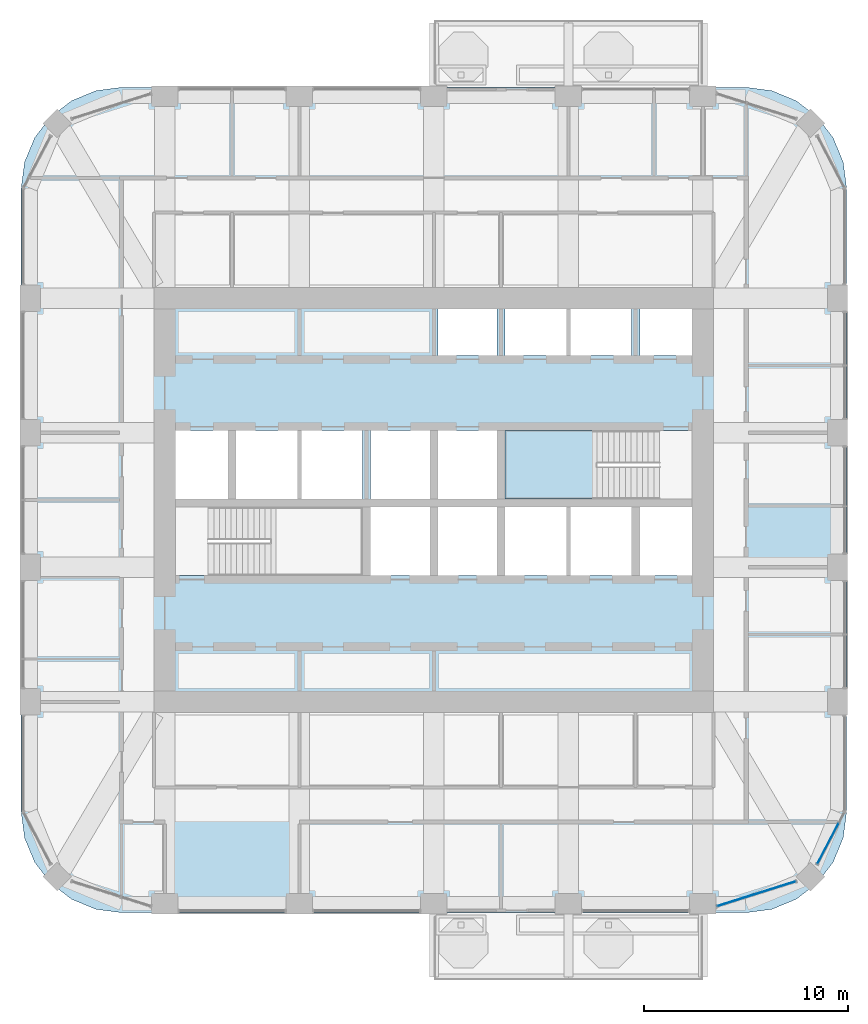
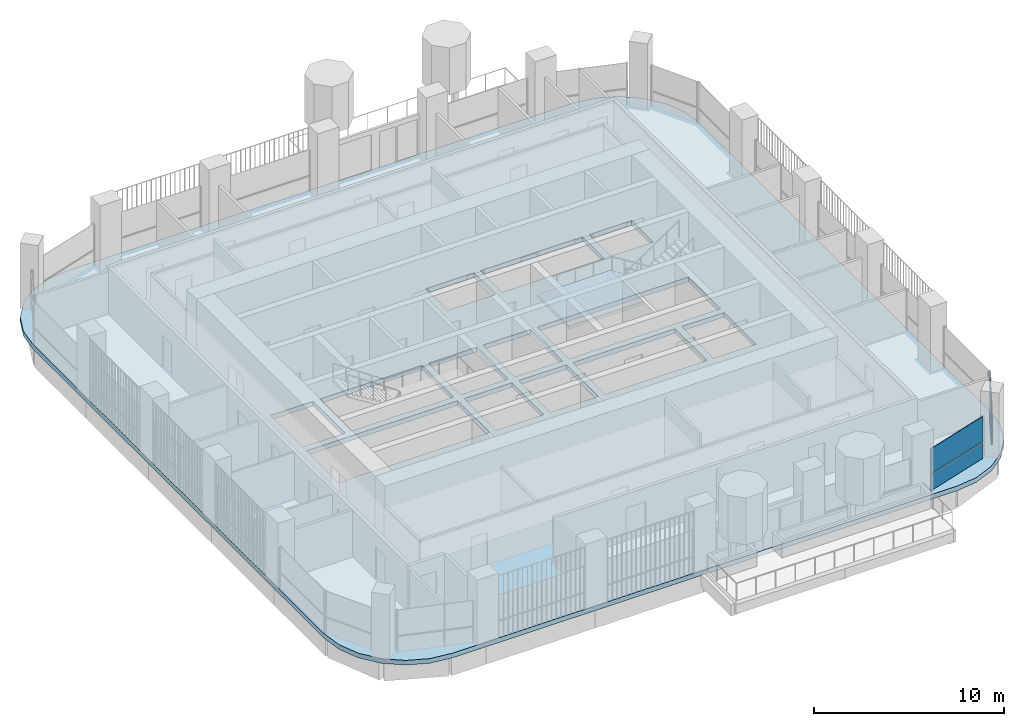
# One storey, part 10 of 21: 4 plates, 2 slabs, 3 elements without a shape of their own.
"""IFC4 building model written with IfcOpenShell, lengths in metres."""

import ifcopenshell
import ifcopenshell.guid

model = None  # the IFC model being written
_history = None  # IfcOwnerHistory: only IFC2X3 demands one
_inside = {}  # id of a spatial element -> (the spatial element, [elements in it])
_under = {}  # id of a project, library or spatial element -> (it, [spatial elements below it])
_declared = {}  # id of a project -> (the project, [libraries it declares])
_typed = {}  # id of a type object -> (the type object, [elements of that type])
_made_of = {}  # id of a material, layer set ... -> (it, [elements and type objects made of it])


def new_model(schema):
    """Start an empty IFC model of exactly this schema.

    Asked for "IFC4X3", IfcOpenShell would pick the latest addendum, in which some entities
    have other attributes; the version numbers below select the first issue.
    IFC2X3 requires an IfcOwnerHistory on every rooted entity: one is made here for all.
    """
    global model, _history
    if schema == "IFC4X3":
        model = ifcopenshell.file(schema_version=(4, 3, 0, 0))
    else:
        model = ifcopenshell.file(schema=schema)
    _inside.clear()
    _under.clear()
    _declared.clear()
    _typed.clear()
    _made_of.clear()
    _history = None
    if model.schema == "IFC2X3":
        org = make("IfcOrganization", Name="unknown")
        user = make(
            "IfcPersonAndOrganization",
            ThePerson=make("IfcPerson", FamilyName="unknown"),
            TheOrganization=org,
        )
        app = make(
            "IfcApplication",
            ApplicationDeveloper=org,
            Version="unknown",
            ApplicationFullName="unknown",
            ApplicationIdentifier="unknown",
        )
        _history = make(
            "IfcOwnerHistory",
            OwningUser=user,
            OwningApplication=app,
            ChangeAction="ADDED",
            CreationDate=0,
        )
    return model


def make(cls, **values):
    """One entity of the class cls with the attributes given. An attribute that is None is left unset."""
    return model.create_entity(
        cls, **{name: value for name, value in values.items() if value is not None}
    )


def rooted(cls, **values):
    """An entity with a GlobalId (a new one), such as an element, a storey or a relation."""
    return make(cls, GlobalId=ifcopenshell.guid.new(), OwnerHistory=_history, **values)


def si_unit(unit_type, name, prefix=None):
    """IfcSIUnit, for example si_unit("LENGTHUNIT", "METRE", prefix="MILLI")."""
    return make("IfcSIUnit", UnitType=unit_type, Prefix=prefix, Name=name)


def assignment(units):
    """IfcUnitAssignment: the units of a project."""
    return None if units is None else make("IfcUnitAssignment", Units=units)


def point(xyz):
    """IfcCartesianPoint."""
    return None if xyz is None else make("IfcCartesianPoint", Coordinates=xyz)


def direction(xyz):
    """IfcDirection."""
    return None if xyz is None else make("IfcDirection", DirectionRatios=xyz)


def frame(location, z_axis=None, x_axis=None):
    """IfcAxis2Placement3D, a coordinate frame: its origin and axes. An axis left out is left unset."""
    return make(
        "IfcAxis2Placement3D",
        Location=point(location),
        Axis=direction(z_axis),
        RefDirection=direction(x_axis),
    )


def frame_2d(location, x_axis=None):
    """IfcAxis2Placement2D, a coordinate frame in the plane: its origin and x axis."""
    return make(
        "IfcAxis2Placement2D", Location=point(location), RefDirection=direction(x_axis)
    )


def origin():
    """The frame at (0, 0, 0) with its axes left unset."""
    return frame((0.0, 0.0, 0.0))


def origin_2d():
    """The frame at (0, 0) in the plane with its x axis left unset."""
    return frame_2d((0.0, 0.0))


def place(relative_to, where):
    """IfcLocalPlacement: puts the frame where relative to a parent placement (None: the world)."""
    return make(
        "IfcLocalPlacement", PlacementRelTo=relative_to, RelativePlacement=where
    )


def context(
    kind, dimensions, precision=None, world=None, true_north=None, identifier=None
):
    """IfcGeometricRepresentationContext, for example the 3D "Model" context."""
    return make(
        "IfcGeometricRepresentationContext",
        ContextIdentifier=identifier,
        ContextType=kind,
        CoordinateSpaceDimension=dimensions,
        Precision=precision,
        WorldCoordinateSystem=world,
        TrueNorth=true_north,
    )


def subcontext(parent, identifier, kind, view, scale=None):
    """IfcGeometricRepresentationSubContext, for example "Body" below "Model"."""
    return make(
        "IfcGeometricRepresentationSubContext",
        ContextIdentifier=identifier,
        ContextType=kind,
        ParentContext=parent,
        TargetScale=scale,
        TargetView=view,
    )


def project(units=None, contexts=None):
    """IfcProject with its units and contexts."""
    return rooted(
        "IfcProject",
        Name="project",
        RepresentationContexts=contexts,
        UnitsInContext=assignment(units),
    )


def spatial(cls, under=None, at=None, **own):
    """A site, building, storey or space (cls), placed at a placement, below another one or the project."""
    s = rooted(cls, ObjectPlacement=at, **own)
    if under is not None:
        _under.setdefault(under.id(), (under, []))[1].append(s)
    return s


def polyline(points):
    """IfcPolyline through the points."""
    return make("IfcPolyline", Points=[point(p) for p in points])


def profile(cls, at=None, kind="AREA", **sizes):
    """A parametric profile (cls). Its sizes go by their IFC names, for example OverallWidth=200.0."""
    return make(cls, ProfileType=kind, Position=at, **sizes)


def rectangle(**sizes):
    """IfcRectangleProfileDef."""
    return profile("IfcRectangleProfileDef", **sizes)


def outline(outer, holes=None, kind="AREA"):
    """IfcArbitraryClosedProfileDef: a profile drawn as a closed curve; with holes, ...WithVoids."""
    if holes is None:
        return make("IfcArbitraryClosedProfileDef", ProfileType=kind, OuterCurve=outer)
    return make(
        "IfcArbitraryProfileDefWithVoids",
        ProfileType=kind,
        OuterCurve=outer,
        InnerCurves=holes,
    )


def extrude(swept, where, along, depth):
    """IfcExtrudedAreaSolid: the profile swept, set in the frame where, extruded along a direction by depth."""
    return make(
        "IfcExtrudedAreaSolid",
        SweptArea=swept,
        Position=where,
        ExtrudedDirection=direction(along),
        Depth=depth,
    )


def shape(context_of_items, identifier, shape_type, items):
    """IfcShapeRepresentation: the items that make up one representation, for example the "Body"."""
    return make(
        "IfcShapeRepresentation",
        ContextOfItems=context_of_items,
        RepresentationIdentifier=identifier,
        RepresentationType=shape_type,
        Items=items,
    )


def material(Name=None, Category=None):
    """IfcMaterial."""
    return make("IfcMaterial", Name=Name, Category=Category)


def layer(
    of_material, thickness, ventilated=None, Name=None, Category=None, Priority=None
):
    """IfcMaterialLayer: one layer of a wall or slab, of a material (None: an air gap)."""
    return make(
        "IfcMaterialLayer",
        Material=of_material,
        LayerThickness=thickness,
        IsVentilated=ventilated,
        Name=Name,
        Category=Category,
        Priority=Priority,
    )


def layer_set(layers, Name=None):
    """IfcMaterialLayerSet."""
    return make("IfcMaterialLayerSet", MaterialLayers=layers, LayerSetName=Name)


def made_of(thing, what):
    """Note that an element or type object is made of a material, layer set ...; save() writes the relation."""
    if what is not None:
        _made_of.setdefault(what.id(), (what, []))[1].append(thing)
    return thing


def type_object(cls, material=None, **own):
    """A type object (cls), such as IfcWallType, which elements share."""
    return made_of(rooted(cls, **own), material)


def element(
    cls,
    number,
    at=None,
    inside=None,
    cuts=None,
    type_object=None,
    material=None,
    context=None,
    identifier="Body",
    shape_type=None,
    held_by="IfcProductDefinitionShape",
    body=None,
    shapes=None,
    **own,
):
    """One element of the class cls, such as IfcWall. Its Tag is "e" and its number.

    at: its placement. inside: the storey or other place that contains it. cuts: it is an
    opening in that element (IfcRelVoidsElement). A single representation is given by context,
    identifier, shape_type and body (its items); several are given by shapes. held_by: the class
    of the entity that holds the representations. save() writes the other relations.
    """
    e = rooted(cls, Tag="e%d" % number, ObjectPlacement=at, **own)
    if body is not None:
        shapes = [shape(context, identifier, shape_type, body)]
    if shapes is not None:
        e.Representation = make(held_by, Representations=shapes)
    if inside is not None:
        _inside.setdefault(inside.id(), (inside, []))[1].append(e)
    if cuts is not None:
        rooted(
            "IfcRelVoidsElement", RelatingBuildingElement=cuts, RelatedOpeningElement=e
        )
    if type_object is not None:
        _typed.setdefault(type_object.id(), (type_object, []))[1].append(e)
    return made_of(e, material)


def aggregate(whole, parts):
    """IfcRelAggregates: a whole, such as a stair, and the parts it consists of."""
    return rooted("IfcRelAggregates", RelatingObject=whole, RelatedObjects=parts)


def save(model, path):
    """Write the relations noted so far, then the file.

    IfcRelAggregates (storeys below a building ...), IfcRelContainedInSpatialStructure (elements
    in a storey), IfcRelDefinesByType, IfcRelAssociatesMaterial and IfcRelDeclares: one each for
    every whole, place, type object, material and project.
    """
    for whole, parts in _under.values():
        aggregate(whole, parts)
    for where, things in _inside.values():
        rooted(
            "IfcRelContainedInSpatialStructure",
            RelatedElements=things,
            RelatingStructure=where,
        )
    for kind, things in _typed.values():
        rooted("IfcRelDefinesByType", RelatedObjects=things, RelatingType=kind)
    for what, things in _made_of.values():
        rooted("IfcRelAssociatesMaterial", RelatedObjects=things, RelatingMaterial=what)
    for by, libraries in _declared.values():
        rooted("IfcRelDeclares", RelatingContext=by, RelatedDefinitions=libraries)
    model.write(path)


model = new_model("IFC4")

# Units and contexts
model_context = context("Model", 3, precision=1e-05, world=origin(), true_north=direction((0.0, 1.0)))
body_context = subcontext(model_context, "Body", "Model", "MODEL_VIEW")
ifc_project = project(units=[si_unit("LENGTHUNIT", "METRE"), si_unit("AREAUNIT", "SQUARE_METRE"), si_unit("VOLUMEUNIT", "CUBIC_METRE"), si_unit("PLANEANGLEUNIT", "RADIAN"), si_unit("MASSUNIT", "GRAM", prefix="KILO")], contexts=[model_context])

# Site, building, storey
site_placement = place(None, origin())
site = spatial("IfcSite", under=ifc_project, at=site_placement, CompositionType="ELEMENT")
building_placement = place(site_placement, origin())
building = spatial("IfcBuilding", under=site, at=building_placement, Name="Cobogo Forest Laboratory Tower", CompositionType="ELEMENT")
storey_placement = place(building_placement, frame((0.0, 0.0, 250.199951171875)))
storey = spatial("IfcBuildingStorey", under=building, at=storey_placement, Name="L57", CompositionType="ELEMENT", Elevation=250.199951171875)

# Slab
ifc_material_1 = material(Name="Concrete HA-40 (C40/50)", Category="concrete")
ifc_layer_1 = layer(ifc_material_1, 0.300048828125)
ifc_layer_set_1 = layer_set([ifc_layer_1], Name="Floor slab 300")
slab_type_1 = type_object("IfcSlabType", Name="Floor slab 300", PredefinedType="FLOOR", material=ifc_layer_set_1)
slab_1_placement = place(storey_placement, frame((0.0, 0.0, -0.300048828125)))
element("IfcSlab", 1, at=slab_1_placement, inside=storey, type_object=slab_type_1, Name="L57 floor slab", PredefinedType="FLOOR", context=body_context, shape_type="SweptSolid", body=[
    extrude(outline(polyline([(41.699951171875, 2.85009765625), (42.981201171875, 3.0185546875), (44.175048828125, 3.51318359375), (45.2001953125, 4.2998046875), (45.98681640625, 5.324951171875), (46.4814453125, 6.518798828125), (46.64990234375, 7.800048828125), (46.64990234375, 38.39990234375), (46.4814453125, 39.68115234375), (45.98681640625, 40.875), (45.2001953125, 41.900146484375), (44.175048828125, 42.686767578125), (42.981201171875, 43.181396484375), (41.699951171875, 43.35009765625), (11.10009765625, 43.35009765625), (9.81884765625, 43.181396484375), (8.625, 42.686767578125), (7.599853515625, 41.900146484375), (6.813232421875, 40.875), (6.318603515625, 39.68115234375), (6.14990234375, 38.39990234375), (6.14990234375, 7.800048828125), (6.318603515625, 6.518798828125), (6.813232421875, 5.324951171875), (7.599853515625, 4.2998046875), (8.625, 3.51318359375), (9.81884765625, 3.0185546875), (11.10009765625, 2.85009765625), (41.699951171875, 2.85009765625)]), holes=[polyline([(22.89990234375, 19.39990234375), (13.72509765625, 19.39990234375), (13.72509765625, 22.75), (22.89990234375, 22.75), (22.89990234375, 19.39990234375)]), polyline([(26.199951171875, 19.39990234375), (23.300048828125, 19.39990234375), (23.300048828125, 22.75), (26.199951171875, 22.75), (26.199951171875, 19.39990234375)]), polyline([(29.5, 19.39990234375), (26.60009765625, 19.39990234375), (26.60009765625, 22.75), (29.5, 22.75), (29.5, 19.39990234375)]), polyline([(36.10009765625, 22.75), (36.10009765625, 19.39990234375), (29.89990234375, 19.39990234375), (29.89990234375, 22.75), (36.10009765625, 22.75)]), polyline([(39.074951171875, 19.39990234375), (36.5, 19.39990234375), (36.5, 22.75), (39.074951171875, 22.75), (39.074951171875, 19.39990234375)]), polyline([(16.300048828125, 23.14990234375), (13.72509765625, 23.14990234375), (13.72509765625, 26.5), (16.300048828125, 26.5), (16.300048828125, 23.14990234375)]), polyline([(22.89990234375, 26.5), (22.89990234375, 23.14990234375), (16.699951171875, 23.14990234375), (16.699951171875, 26.5), (22.89990234375, 26.5)]), polyline([(26.199951171875, 23.14990234375), (23.300048828125, 23.14990234375), (23.300048828125, 26.5), (26.199951171875, 26.5), (26.199951171875, 23.14990234375)]), polyline([(29.5, 23.14990234375), (26.60009765625, 23.14990234375), (26.60009765625, 26.5), (29.5, 26.5), (29.5, 23.14990234375)]), polyline([(39.074951171875, 23.14990234375), (29.89990234375, 23.14990234375), (29.89990234375, 26.5), (39.074951171875, 26.5), (39.074951171875, 23.14990234375)]), polyline([(29.5, 30.199951171875), (26.60009765625, 30.199951171875), (26.60009765625, 32.47509765625), (29.5, 32.47509765625), (29.5, 30.199951171875)]), polyline([(36.10009765625, 32.47509765625), (36.10009765625, 30.199951171875), (29.89990234375, 30.199951171875), (29.89990234375, 32.47509765625), (36.10009765625, 32.47509765625)]), polyline([(39.074951171875, 30.199951171875), (36.5, 30.199951171875), (36.5, 32.47509765625), (39.074951171875, 32.47509765625), (39.074951171875, 30.199951171875)])]), origin(), (0.0, 0.0, 1.0), 0.300048828125),
])

# Curtain wall, plates
ifc_material_2 = material(Name="Aluminium curtain wall", Category="aluminium")
curtain_wall_type = type_object("IfcCurtainWallType", Name="CW-2 unitised curtain wall, solar control glazing, laboratory floors zones C and D", PredefinedType="USERDEFINED", material=ifc_material_2)
curtain_wall_1_placement = place(storey_placement, origin())
curtain_wall_1 = element("IfcCurtainWall", 2, at=curtain_wall_1_placement, inside=storey, type_object=curtain_wall_type, Name="Curtain wall 05 L57", ObjectType="UNITISED CURTAIN WALL", PredefinedType="USERDEFINED")
ifc_material_3 = material(Name="Solar control insulated glass", Category="glass")
ifc_layer_2 = layer(ifc_material_3, 0.031982421875)
ifc_layer_set_2 = layer_set([ifc_layer_2], Name="GP-2 solar control glass unit 32")
plate_type = type_object("IfcPlateType", Name="GP-2 solar control glass unit 32", PredefinedType="CURTAIN_PANEL", material=ifc_layer_set_2)
plate_1_placement = place(storey_placement, frame((42.2275390625, 3.77978515625, 0.0), z_axis=(0.0, 0.0, 1.0), x_axis=(0.953581386052, 0.301135418334, 0.0)))
plate_1 = element("IfcPlate", 3, at=plate_1_placement, type_object=plate_type, Name="CW-2 panel 1.1", PredefinedType="CURTAIN_PANEL", context=body_context, shape_type="SweptSolid", body=[
    extrude(rectangle(XDim=4.02734375, YDim=0.031982421875, at=origin_2d()), origin(), (0.0, 0.0, 1.0), 1.02001953125),
])
plate_2_placement = place(storey_placement, frame((42.2275390625, 3.77978515625, 1.080078125), z_axis=(0.0, 0.0, 1.0), x_axis=(0.953581386052, 0.301135418334, 0.0)))
plate_2 = element("IfcPlate", 4, at=plate_2_placement, type_object=plate_type, Name="CW-2 panel 1.2", PredefinedType="CURTAIN_PANEL", context=body_context, shape_type="SweptSolid", body=[
    extrude(rectangle(XDim=4.02734375, YDim=0.031982421875, at=origin_2d()), origin(), (0.0, 0.0, 1.0), 1.6201171875),
])
aggregate(curtain_wall_1, [plate_1, plate_2])

curtain_wall_2_placement = place(storey_placement, origin())
curtain_wall_2 = element("IfcCurtainWall", 5, at=curtain_wall_2_placement, inside=storey, type_object=curtain_wall_type, Name="Curtain wall 06 L57", ObjectType="UNITISED CURTAIN WALL", PredefinedType="USERDEFINED")
plate_3_placement = place(storey_placement, frame((45.7353515625, 6.24609375, 0.0), z_axis=(0.0, 0.0, 1.0), x_axis=(0.464283791352, 0.885686491422, 0.0)))
plate_3 = element("IfcPlate", 6, at=plate_3_placement, type_object=plate_type, Name="CW-2 panel 1.1", PredefinedType="CURTAIN_PANEL", context=body_context, shape_type="SweptSolid", body=[
    extrude(rectangle(XDim=2.236328125, YDim=0.031982421875, at=origin_2d()), origin(), (0.0, 0.0, 1.0), 1.02001953125),
])
plate_4_placement = place(storey_placement, frame((45.7353515625, 6.24609375, 1.080078125), z_axis=(0.0, 0.0, 1.0), x_axis=(0.464283791352, 0.885686491422, 0.0)))
plate_4 = element("IfcPlate", 7, at=plate_4_placement, type_object=plate_type, Name="CW-2 panel 1.2", PredefinedType="CURTAIN_PANEL", context=body_context, shape_type="SweptSolid", body=[
    extrude(rectangle(XDim=2.236328125, YDim=0.031982421875, at=origin_2d()), origin(), (0.0, 0.0, 1.0), 1.6201171875),
])
aggregate(curtain_wall_2, [plate_3, plate_4])

# Stair, slab
ifc_material_4 = material(Name="Precast concrete HA-40 (C40/50)", Category="concrete")
stair_type = type_object("IfcStairType", Name="ST24 exit stair 24 risers", PredefinedType="HALF_TURN_STAIR", material=ifc_material_4)
stair_placement = place(storey_placement, origin())
stair = element("IfcStair", 8, at=stair_placement, inside=storey, type_object=stair_type, Name="Stair 2 L57 to L58", PredefinedType="HALF_TURN_STAIR")
ifc_layer_3 = layer(ifc_material_1, 0.199951171875)
ifc_layer_set_3 = layer_set([ifc_layer_3], Name="SL stair landing 200")
slab_type_2 = type_object("IfcSlabType", Name="SL stair landing 200", PredefinedType="LANDING", material=ifc_layer_set_3)
slab_2_placement = place(storey_placement, frame((0.0, 0.0, 1.900146484375)))
slab_2 = element("IfcSlab", 9, at=slab_2_placement, type_object=slab_type_2, Name="ST2 landing 2", PredefinedType="LANDING", context=body_context, shape_type="SweptSolid", body=[
    extrude(outline(polyline([(29.89990234375, 23.14990234375), (34.39697265625, 23.14990234375), (34.39697265625, 26.5), (29.89990234375, 26.5), (29.89990234375, 23.14990234375)])), origin(), (0.0, 0.0, 1.0), 0.199951171875),
])
aggregate(stair, [slab_2])

save(model, "model.ifc")
